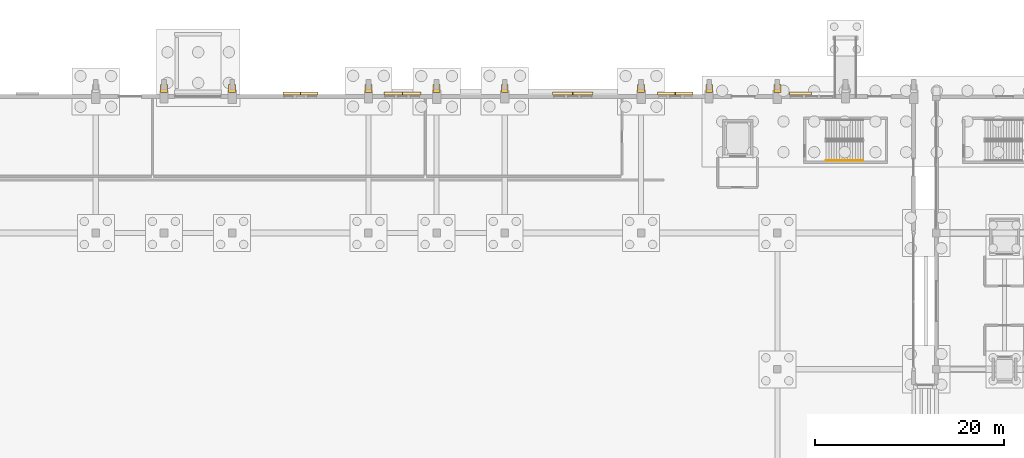
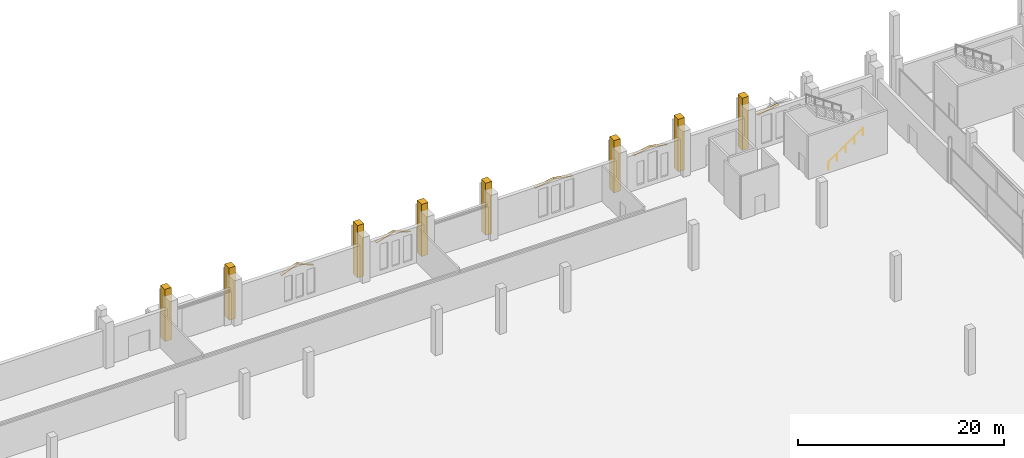
# One storey, part 188 of 192: 17 coverings, 1 railing.
"""IFC4 building model written with IfcOpenShell, lengths in metres."""

import ifcopenshell
import ifcopenshell.guid

model = None  # the IFC model being written
_history = None  # IfcOwnerHistory: only IFC2X3 demands one
_inside = {}  # id of a spatial element -> (the spatial element, [elements in it])
_under = {}  # id of a project, library or spatial element -> (it, [spatial elements below it])
_declared = {}  # id of a project -> (the project, [libraries it declares])
_typed = {}  # id of a type object -> (the type object, [elements of that type])
_made_of = {}  # id of a material, layer set ... -> (it, [elements and type objects made of it])


def new_model(schema):
    """Start an empty IFC model of exactly this schema.

    Asked for "IFC4X3", IfcOpenShell would pick the latest addendum, in which some entities
    have other attributes; the version numbers below select the first issue.
    IFC2X3 requires an IfcOwnerHistory on every rooted entity: one is made here for all.
    """
    global model, _history
    if schema == "IFC4X3":
        model = ifcopenshell.file(schema_version=(4, 3, 0, 0))
    else:
        model = ifcopenshell.file(schema=schema)
    _inside.clear()
    _under.clear()
    _declared.clear()
    _typed.clear()
    _made_of.clear()
    _history = None
    if model.schema == "IFC2X3":
        org = make("IfcOrganization", Name="unknown")
        user = make(
            "IfcPersonAndOrganization",
            ThePerson=make("IfcPerson", FamilyName="unknown"),
            TheOrganization=org,
        )
        app = make(
            "IfcApplication",
            ApplicationDeveloper=org,
            Version="unknown",
            ApplicationFullName="unknown",
            ApplicationIdentifier="unknown",
        )
        _history = make(
            "IfcOwnerHistory",
            OwningUser=user,
            OwningApplication=app,
            ChangeAction="ADDED",
            CreationDate=0,
        )
    return model


def make(cls, **values):
    """One entity of the class cls with the attributes given. An attribute that is None is left unset."""
    return model.create_entity(
        cls, **{name: value for name, value in values.items() if value is not None}
    )


def rooted(cls, **values):
    """An entity with a GlobalId (a new one), such as an element, a storey or a relation."""
    return make(cls, GlobalId=ifcopenshell.guid.new(), OwnerHistory=_history, **values)


def si_unit(unit_type, name, prefix=None):
    """IfcSIUnit, for example si_unit("LENGTHUNIT", "METRE", prefix="MILLI")."""
    return make("IfcSIUnit", UnitType=unit_type, Prefix=prefix, Name=name)


def assignment(units):
    """IfcUnitAssignment: the units of a project."""
    return None if units is None else make("IfcUnitAssignment", Units=units)


def point(xyz):
    """IfcCartesianPoint."""
    return None if xyz is None else make("IfcCartesianPoint", Coordinates=xyz)


def direction(xyz):
    """IfcDirection."""
    return None if xyz is None else make("IfcDirection", DirectionRatios=xyz)


def frame(location, z_axis=None, x_axis=None):
    """IfcAxis2Placement3D, a coordinate frame: its origin and axes. An axis left out is left unset."""
    return make(
        "IfcAxis2Placement3D",
        Location=point(location),
        Axis=direction(z_axis),
        RefDirection=direction(x_axis),
    )


def frame_2d(location, x_axis=None):
    """IfcAxis2Placement2D, a coordinate frame in the plane: its origin and x axis."""
    return make(
        "IfcAxis2Placement2D", Location=point(location), RefDirection=direction(x_axis)
    )


def origin():
    """The frame at (0, 0, 0) with its axes left unset."""
    return frame((0.0, 0.0, 0.0))


def origin_2d():
    """The frame at (0, 0) in the plane with its x axis left unset."""
    return frame_2d((0.0, 0.0))


def place(relative_to, where):
    """IfcLocalPlacement: puts the frame where relative to a parent placement (None: the world)."""
    return make(
        "IfcLocalPlacement", PlacementRelTo=relative_to, RelativePlacement=where
    )


def context(
    kind, dimensions, precision=None, world=None, true_north=None, identifier=None
):
    """IfcGeometricRepresentationContext, for example the 3D "Model" context."""
    return make(
        "IfcGeometricRepresentationContext",
        ContextIdentifier=identifier,
        ContextType=kind,
        CoordinateSpaceDimension=dimensions,
        Precision=precision,
        WorldCoordinateSystem=world,
        TrueNorth=true_north,
    )


def subcontext(parent, identifier, kind, view, scale=None):
    """IfcGeometricRepresentationSubContext, for example "Body" below "Model"."""
    return make(
        "IfcGeometricRepresentationSubContext",
        ContextIdentifier=identifier,
        ContextType=kind,
        ParentContext=parent,
        TargetScale=scale,
        TargetView=view,
    )


def project(units=None, contexts=None):
    """IfcProject with its units and contexts."""
    return rooted(
        "IfcProject",
        Name="project",
        RepresentationContexts=contexts,
        UnitsInContext=assignment(units),
    )


def spatial(cls, under=None, at=None, **own):
    """A site, building, storey or space (cls), placed at a placement, below another one or the project."""
    s = rooted(cls, ObjectPlacement=at, **own)
    if under is not None:
        _under.setdefault(under.id(), (under, []))[1].append(s)
    return s


def polyline(points):
    """IfcPolyline through the points."""
    return make("IfcPolyline", Points=[point(p) for p in points])


def profile(cls, at=None, kind="AREA", **sizes):
    """A parametric profile (cls). Its sizes go by their IFC names, for example OverallWidth=200.0."""
    return make(cls, ProfileType=kind, Position=at, **sizes)


def circle(**sizes):
    """IfcCircleProfileDef."""
    return profile("IfcCircleProfileDef", **sizes)


def outline(outer, holes=None, kind="AREA"):
    """IfcArbitraryClosedProfileDef: a profile drawn as a closed curve; with holes, ...WithVoids."""
    if holes is None:
        return make("IfcArbitraryClosedProfileDef", ProfileType=kind, OuterCurve=outer)
    return make(
        "IfcArbitraryProfileDefWithVoids",
        ProfileType=kind,
        OuterCurve=outer,
        InnerCurves=holes,
    )


def extrude(swept, where, along, depth):
    """IfcExtrudedAreaSolid: the profile swept, set in the frame where, extruded along a direction by depth."""
    return make(
        "IfcExtrudedAreaSolid",
        SweptArea=swept,
        Position=where,
        ExtrudedDirection=direction(along),
        Depth=depth,
    )


def shape(context_of_items, identifier, shape_type, items):
    """IfcShapeRepresentation: the items that make up one representation, for example the "Body"."""
    return make(
        "IfcShapeRepresentation",
        ContextOfItems=context_of_items,
        RepresentationIdentifier=identifier,
        RepresentationType=shape_type,
        Items=items,
    )


def material(Name=None, Category=None):
    """IfcMaterial."""
    return make("IfcMaterial", Name=Name, Category=Category)


def layer(
    of_material, thickness, ventilated=None, Name=None, Category=None, Priority=None
):
    """IfcMaterialLayer: one layer of a wall or slab, of a material (None: an air gap)."""
    return make(
        "IfcMaterialLayer",
        Material=of_material,
        LayerThickness=thickness,
        IsVentilated=ventilated,
        Name=Name,
        Category=Category,
        Priority=Priority,
    )


def layer_set(layers, Name=None):
    """IfcMaterialLayerSet."""
    return make("IfcMaterialLayerSet", MaterialLayers=layers, LayerSetName=Name)


def made_of(thing, what):
    """Note that an element or type object is made of a material, layer set ...; save() writes the relation."""
    if what is not None:
        _made_of.setdefault(what.id(), (what, []))[1].append(thing)
    return thing


def type_object(cls, material=None, **own):
    """A type object (cls), such as IfcWallType, which elements share."""
    return made_of(rooted(cls, **own), material)


def element(
    cls,
    number,
    at=None,
    inside=None,
    cuts=None,
    type_object=None,
    material=None,
    context=None,
    identifier="Body",
    shape_type=None,
    held_by="IfcProductDefinitionShape",
    body=None,
    shapes=None,
    **own,
):
    """One element of the class cls, such as IfcWall. Its Tag is "e" and its number.

    at: its placement. inside: the storey or other place that contains it. cuts: it is an
    opening in that element (IfcRelVoidsElement). A single representation is given by context,
    identifier, shape_type and body (its items); several are given by shapes. held_by: the class
    of the entity that holds the representations. save() writes the other relations.
    """
    e = rooted(cls, Tag="e%d" % number, ObjectPlacement=at, **own)
    if body is not None:
        shapes = [shape(context, identifier, shape_type, body)]
    if shapes is not None:
        e.Representation = make(held_by, Representations=shapes)
    if inside is not None:
        _inside.setdefault(inside.id(), (inside, []))[1].append(e)
    if cuts is not None:
        rooted(
            "IfcRelVoidsElement", RelatingBuildingElement=cuts, RelatedOpeningElement=e
        )
    if type_object is not None:
        _typed.setdefault(type_object.id(), (type_object, []))[1].append(e)
    return made_of(e, material)


def aggregate(whole, parts):
    """IfcRelAggregates: a whole, such as a stair, and the parts it consists of."""
    return rooted("IfcRelAggregates", RelatingObject=whole, RelatedObjects=parts)


def save(model, path):
    """Write the relations noted so far, then the file.

    IfcRelAggregates (storeys below a building ...), IfcRelContainedInSpatialStructure (elements
    in a storey), IfcRelDefinesByType, IfcRelAssociatesMaterial and IfcRelDeclares: one each for
    every whole, place, type object, material and project.
    """
    for whole, parts in _under.values():
        aggregate(whole, parts)
    for where, things in _inside.values():
        rooted(
            "IfcRelContainedInSpatialStructure",
            RelatedElements=things,
            RelatingStructure=where,
        )
    for kind, things in _typed.values():
        rooted("IfcRelDefinesByType", RelatedObjects=things, RelatingType=kind)
    for what, things in _made_of.values():
        rooted("IfcRelAssociatesMaterial", RelatedObjects=things, RelatingMaterial=what)
    for by, libraries in _declared.values():
        rooted("IfcRelDeclares", RelatingContext=by, RelatedDefinitions=libraries)
    model.write(path)


model = new_model("IFC4")

# Units and contexts
model_context = context("Model", 3, precision=1e-05, world=origin(), true_north=direction((0.0, 1.0)))
body_context = subcontext(model_context, "Body", "Model", "MODEL_VIEW")
ifc_project = project(units=[si_unit("LENGTHUNIT", "METRE"), si_unit("AREAUNIT", "SQUARE_METRE"), si_unit("VOLUMEUNIT", "CUBIC_METRE"), si_unit("PLANEANGLEUNIT", "RADIAN"), si_unit("MASSUNIT", "GRAM", prefix="KILO")], contexts=[model_context])

# Site, building, storey
site_placement = place(None, origin())
site = spatial("IfcSite", under=ifc_project, at=site_placement, CompositionType="ELEMENT")
building_placement = place(site_placement, origin())
building = spatial("IfcBuilding", under=site, at=building_placement, Name="Cendralis Lancet Convention Centre", CompositionType="ELEMENT")
storey_placement = place(building_placement, origin())
storey = spatial("IfcBuildingStorey", under=building, at=storey_placement, Name="L00", CompositionType="ELEMENT", Elevation=0.0)

# Coverings
ifc_material_1 = material(Name="Warm buff sandstone chevron cassette", Category="masonry")
ifc_layer = layer(ifc_material_1, 0.06005859375, Name="Warm buff sandstone chevron cassette")
ifc_layer_set = layer_set([ifc_layer], Name="Warm buff sandstone chevron cassette")
covering_type = type_object("IfcCoveringType", Name="ARC-CV-CLAD1", PredefinedType="CLADDING", material=ifc_layer_set)
covering_1_placement = place(storey_placement, frame((55.7724609375, 137.27001953125, 3.469970703125), z_axis=(-0.366097873786, 0.0, 0.93057635195), x_axis=(0.0, -1.0, 0.0)))
element("IfcCovering", 1, at=covering_1_placement, inside=storey, type_object=covering_type, Name="L00 Gothic Pointed Lancet Hood-Mould #0003L", PredefinedType="CLADDING", context=body_context, shape_type="SweptSolid", body=[
    extrude(outline(polyline([(0.0, 0.0), (0.284912109375, 0.0), (0.284912109375, 1.9666071689490563), (0.0, 1.9666071689490563), (0.0, 0.0)])), origin(), (0.0, 0.0, -1.0), 0.090087890625),
])
covering_2_placement = place(storey_placement, frame((57.62255859375, 137.27001953125, 4.18994140625), z_axis=(0.366140171602, 0.0, 0.930559710464), x_axis=(0.0, -1.0, 0.0)))
element("IfcCovering", 2, at=covering_2_placement, inside=storey, type_object=covering_type, Name="L00 Gothic Pointed Lancet Hood-Mould #0004R", PredefinedType="CLADDING", context=body_context, shape_type="SweptSolid", body=[
    extrude(outline(polyline([(0.0, 0.0), (0.284912109375, 0.0), (0.284912109375, 1.9663799794881949), (0.0, 1.9663799794881949), (0.0, 0.0)])), origin(), (0.0, 0.0, -1.0), 0.090087890625),
])
for number, where, z_axis, x_axis, name in (
    (3, (66.447509765625, 137.27001953125, 3.6201171875), (-0.299120278249, 0.0, 0.95421541548), (0.0, -1.0, 0.0), "L00 Gothic Pointed Lancet Hood-Mould #0005L"),
    (4, (68.3974609375, 137.27001953125, 4.22509765625), (0.299120278249, 0.0, 0.95421541548), (0.0, -1.0, 0.0), "L00 Gothic Pointed Lancet Hood-Mould #0006R"),
):
    element("IfcCovering", number, at=place(storey_placement, frame(where, z_axis=z_axis, x_axis=x_axis)), inside=storey, type_object=covering_type, Name=name, PredefinedType="CLADDING", context=body_context, shape_type="SweptSolid", body=[
        extrude(outline(polyline([(0.0, 0.0), (0.284912109375, 0.0), (0.284912109375, 2.022532448455271), (0.0, 2.022532448455271), (0.0, 0.0)])), origin(), (0.0, 0.0, -1.0), 0.090087890625),
    ])
covering_3_placement = place(storey_placement, frame((84.267578125, 137.27001953125, 3.8701171875), z_axis=(-0.165916149303, 0.0, 0.986139864015), x_axis=(0.0, -1.0, 0.0)))
element("IfcCovering", 5, at=covering_3_placement, inside=storey, type_object=covering_type, Name="L00 Gothic Pointed Lancet Hood-Mould #0007L", PredefinedType="CLADDING", context=body_context, shape_type="SweptSolid", body=[
    extrude(outline(polyline([(0.0, 0.0), (0.284912109375, 0.0), (0.284912109375, 2.1395172817158983), (0.0, 2.1395172817158983), (0.0, 0.0)])), origin(), (0.0, 0.0, -1.0), 0.090087890625),
])
covering_4_placement = place(storey_placement, frame((86.3974609375, 137.27001953125, 4.22509765625), z_axis=(0.165897481069, 0.0, 0.986143004729), x_axis=(0.0, -1.0, 0.0)))
element("IfcCovering", 6, at=covering_4_placement, inside=storey, type_object=covering_type, Name="L00 Gothic Pointed Lancet Hood-Mould #0008R", PredefinedType="CLADDING", context=body_context, shape_type="SweptSolid", body=[
    extrude(outline(polyline([(0.0, 0.0), (0.284912109375, 0.0), (0.284912109375, 2.1397580389020456), (0.0, 2.1397580389020456), (0.0, 0.0)])), origin(), (0.0, 0.0, -1.0), 0.090087890625),
])
covering_5_placement = place(storey_placement, frame((95.322509765625, 137.27001953125, 3.8701171875), z_axis=(-0.185552010671, 0.0, 0.982634444407), x_axis=(0.0, -1.0, 0.0)))
element("IfcCovering", 7, at=covering_5_placement, inside=storey, type_object=covering_type, Name="L00 Gothic Pointed Lancet Hood-Mould #0009L", PredefinedType="CLADDING", context=body_context, shape_type="SweptSolid", body=[
    extrude(outline(polyline([(0.0, 0.0), (0.284912109375, 0.0), (0.284912109375, 1.913104942737559), (0.0, 1.913104942737559), (0.0, 0.0)])), origin(), (0.0, 0.0, -1.0), 0.090087890625),
])
covering_6_placement = place(storey_placement, frame((97.222412109375, 137.27001953125, 4.22509765625), z_axis=(0.185528745545, 0.0, 0.982638837303), x_axis=(0.0, -1.0, 0.0)))
element("IfcCovering", 8, at=covering_6_placement, inside=storey, type_object=covering_type, Name="L00 Gothic Pointed Lancet Hood-Mould #0010R", PredefinedType="CLADDING", context=body_context, shape_type="SweptSolid", body=[
    extrude(outline(polyline([(0.0, 0.0), (0.284912109375, 0.0), (0.284912109375, 1.9133448442612393), (0.0, 1.9133448442612393), (0.0, 0.0)])), origin(), (0.0, 0.0, -1.0), 0.090087890625),
])
covering_7_placement = place(storey_placement, frame((109.2724609375, 137.27001953125, 3.800048828125), z_axis=(-0.179456866306, 0.0, 0.983765842635), x_axis=(0.0, -1.0, 0.0)))
element("IfcCovering", 9, at=covering_7_placement, inside=storey, type_object=covering_type, Name="L00 Gothic Pointed Lancet Hood-Mould #0011L", PredefinedType="CLADDING", context=body_context, shape_type="SweptSolid", body=[
    extrude(outline(polyline([(0.0, 0.0), (0.284912109375, 0.0), (0.284912109375, 2.368529200768686), (0.0, 2.368529200768686), (0.0, 0.0)])), origin(), (0.0, 0.0, -1.0), 0.090087890625),
])
covering_8_placement = place(storey_placement, origin())
element("IfcCovering", 10, at=covering_8_placement, inside=storey, type_object=covering_type, Name="Gothic Stepped Stone Buttress Base #0012", PredefinedType="CLADDING", context=body_context, shape_type="SweptSolid", body=[
    extrude(outline(polyline([(43.56005859375, 138.070068359375), (42.840087890625, 138.070068359375), (42.840087890625, 137.219970703125), (43.56005859375, 137.219970703125), (43.56005859375, 138.070068359375)])), origin(), (0.0, 0.0, 1.0), 6.199951171875),
])
covering_9_placement = place(storey_placement, origin())
element("IfcCovering", 11, at=covering_9_placement, inside=storey, type_object=covering_type, Name="Gothic Stepped Stone Buttress Base #0014", PredefinedType="CLADDING", context=body_context, shape_type="SweptSolid", body=[
    extrude(outline(polyline([(50.760009765625, 138.070068359375), (50.0400390625, 138.070068359375), (50.0400390625, 137.219970703125), (50.760009765625, 137.219970703125), (50.760009765625, 138.070068359375)])), origin(), (0.0, 0.0, 1.0), 6.199951171875),
])
covering_10_placement = place(storey_placement, origin())
element("IfcCovering", 12, at=covering_10_placement, inside=storey, type_object=covering_type, Name="Gothic Stepped Stone Buttress Base #0016", PredefinedType="CLADDING", context=body_context, shape_type="SweptSolid", body=[
    extrude(outline(polyline([(65.159912109375, 138.070068359375), (64.43994140625, 138.070068359375), (64.43994140625, 137.219970703125), (65.159912109375, 137.219970703125), (65.159912109375, 138.070068359375)])), origin(), (0.0, 0.0, 1.0), 6.199951171875),
])
covering_11_placement = place(storey_placement, origin())
element("IfcCovering", 13, at=covering_11_placement, inside=storey, type_object=covering_type, Name="Gothic Stepped Stone Buttress Base #0018", PredefinedType="CLADDING", context=body_context, shape_type="SweptSolid", body=[
    extrude(outline(polyline([(72.360107421875, 138.070068359375), (71.639892578125, 138.070068359375), (71.639892578125, 137.219970703125), (72.360107421875, 137.219970703125), (72.360107421875, 138.070068359375)])), origin(), (0.0, 0.0, 1.0), 6.199951171875),
])
covering_12_placement = place(storey_placement, origin())
element("IfcCovering", 14, at=covering_12_placement, inside=storey, type_object=covering_type, Name="Gothic Stepped Stone Buttress Base #0020", PredefinedType="CLADDING", context=body_context, shape_type="SweptSolid", body=[
    extrude(outline(polyline([(79.56005859375, 138.070068359375), (78.840087890625, 138.070068359375), (78.840087890625, 137.219970703125), (79.56005859375, 137.219970703125), (79.56005859375, 138.070068359375)])), origin(), (0.0, 0.0, 1.0), 6.199951171875),
])
covering_13_placement = place(storey_placement, origin())
element("IfcCovering", 15, at=covering_13_placement, inside=storey, type_object=covering_type, Name="Gothic Stepped Stone Buttress Base #0022", PredefinedType="CLADDING", context=body_context, shape_type="SweptSolid", body=[
    extrude(outline(polyline([(93.9599609375, 138.070068359375), (93.239990234375, 138.070068359375), (93.239990234375, 137.219970703125), (93.9599609375, 137.219970703125), (93.9599609375, 138.070068359375)])), origin(), (0.0, 0.0, 1.0), 6.199951171875),
])
covering_14_placement = place(storey_placement, origin())
element("IfcCovering", 16, at=covering_14_placement, inside=storey, type_object=covering_type, Name="Gothic Stepped Stone Buttress Base #0024", PredefinedType="CLADDING", context=body_context, shape_type="SweptSolid", body=[
    extrude(outline(polyline([(101.159912109375, 138.070068359375), (100.43994140625, 138.070068359375), (100.43994140625, 137.219970703125), (101.159912109375, 137.219970703125), (101.159912109375, 138.070068359375)])), origin(), (0.0, 0.0, 1.0), 6.199951171875),
])
covering_15_placement = place(storey_placement, origin())
element("IfcCovering", 17, at=covering_15_placement, inside=storey, type_object=covering_type, Name="Gothic Stepped Stone Buttress Base #0026", PredefinedType="CLADDING", context=body_context, shape_type="SweptSolid", body=[
    extrude(outline(polyline([(108.360107421875, 138.070068359375), (107.639892578125, 138.070068359375), (107.639892578125, 137.219970703125), (108.360107421875, 137.219970703125), (108.360107421875, 138.070068359375)])), origin(), (0.0, 0.0, 1.0), 6.199951171875),
])

# Railing
ifc_material_2 = material(Name="Steel S355", Category="steel")
railing_type = type_object("IfcRailingType", Name="ARC-RL-CHR", PredefinedType="HANDRAIL", material=ifc_material_2)
railing_placement = place(storey_placement, frame((113.14990234375, 130.050048828125, 0.179931640625)))
element("IfcRailing", 18, at=railing_placement, inside=storey, type_object=railing_type, Name="L00 ST-04 stair handrail 1", PredefinedType="HANDRAIL", context=body_context, shape_type="SweptSolid", body=[
    extrude(circle(Radius=0.02392578125, at=origin_2d()), frame((0.0, 0.0, 0.8759765625), z_axis=(0.823567234665, 0.0, 0.567218661528), x_axis=(0.0, 1.0, 0.0)), (0.0, 0.0, 1.0), 4.760009765625),
    extrude(circle(Radius=0.02099609375, at=origin_2d()), origin(), (0.0, 0.0, 1.0), 0.851806640625),
    extrude(circle(Radius=0.02099609375, at=origin_2d()), frame((0.97998046875, 0.0, 0.675048828125)), (0.0, 0.0, 1.0), 0.851806640625),
    extrude(circle(Radius=0.02099609375, at=origin_2d()), frame((1.9599609375, 0.0, 1.35009765625)), (0.0, 0.0, 1.0), 0.851806640625),
    extrude(circle(Radius=0.02099609375, at=origin_2d()), frame((2.940185546875, 0.0, 2.02490234375)), (0.0, 0.0, 1.0), 0.851806640625),
    extrude(circle(Radius=0.02099609375, at=origin_2d()), frame((3.920166015625, 0.0, 2.699951171875)), (0.0, 0.0, 1.0), 0.851806640625),
])

save(model, "model.ifc")
